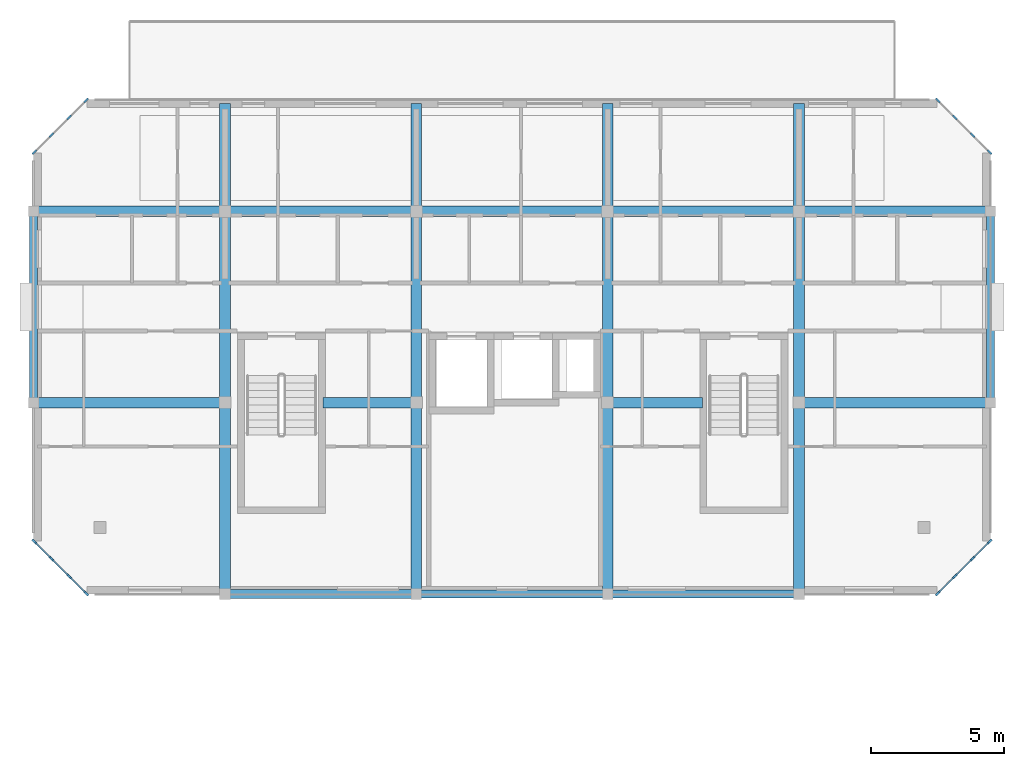
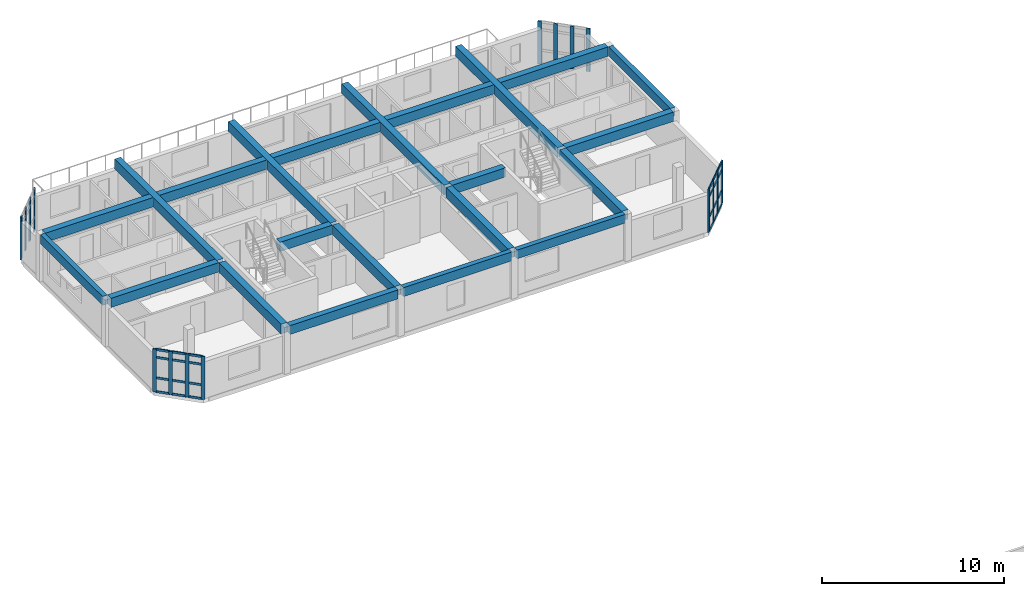
# One storey, part 4 of 16: 40 members, 22 beams, 4 elements without a shape of their own.
"""IFC4 building model written with IfcOpenShell, lengths in metres."""

from ifc_helpers import new_model, si_unit, direction, frame, origin, origin_2d, place, context, subcontext, project, spatial, rectangle, extrude, material, layer, layer_set, material_profile, profile_set, type_object, element, aggregate, save


model = new_model("IFC4")

# Units and contexts
model_context = context("Model", 3, precision=1e-05, world=origin(), true_north=direction((0.0, 1.0)))
body_context = subcontext(model_context, "Body", "Model", "MODEL_VIEW")
ifc_project = project(units=[si_unit("LENGTHUNIT", "METRE"), si_unit("AREAUNIT", "SQUARE_METRE"), si_unit("VOLUMEUNIT", "CUBIC_METRE"), si_unit("PLANEANGLEUNIT", "RADIAN"), si_unit("MASSUNIT", "GRAM", prefix="KILO")], contexts=[model_context])

# Site, building, storey
site_placement = place(None, origin())
site = spatial("IfcSite", under=ifc_project, at=site_placement, CompositionType="ELEMENT")
building_placement = place(site_placement, origin())
building = spatial("IfcBuilding", under=site, at=building_placement, Name="Ochrevale Crest", CompositionType="ELEMENT")
storey_placement = place(building_placement, frame((0.0, 0.0, 46.5)))
storey = spatial("IfcBuildingStorey", under=building, at=storey_placement, Name="L14", CompositionType="ELEMENT", Elevation=46.5)

# Beams
ifc_material_1 = material(Name="Precast concrete C50/60", Category="concrete")
ifc_material_profile_1 = material_profile(ifc_material_1, rectangle(XDim=0.39990234375, YDim=0.6201171875, at=origin_2d()), Name="PC 400x620")
ifc_profile_set_1 = profile_set([ifc_material_profile_1], Name="Precast concrete C50/60")
beam_type_1 = type_object("IfcBeamType", Name="BM-PC400x620", PredefinedType="BEAM", material=ifc_profile_set_1)
beam_1_placement = place(storey_placement, frame((129.77490234375, 79.199951171875, 2.840087890625), z_axis=(1.0, 0.0, 0.0), x_axis=(0.0, 1.0, 0.0)))
element("IfcBeam", 1, at=beam_1_placement, inside=storey, type_object=beam_type_1, Name="Block D L14 E-W beam Y=79.2", PredefinedType="BEAM", context=body_context, shape_type="SweptSolid", body=[
    extrude(rectangle(XDim=0.39990234375, YDim=0.6201171875, at=origin_2d()), origin(), (0.0, 0.0, 1.0), 6.8251953125),
])
beam_2_placement = place(storey_placement, frame((140.489990234375, 79.199951171875, 2.840087890625), z_axis=(1.0, 0.0, 0.0), x_axis=(0.0, 1.0, 0.0)))
element("IfcBeam", 2, at=beam_2_placement, inside=storey, type_object=beam_type_1, Name="Block D L14 E-W beam Y=79.2", PredefinedType="BEAM", context=body_context, shape_type="SweptSolid", body=[
    extrude(rectangle(XDim=0.39990234375, YDim=0.6201171875, at=origin_2d()), origin(), (0.0, 0.0, 1.0), 3.31005859375),
])
beam_3_placement = place(storey_placement, frame((151.39990234375, 79.199951171875, 2.840087890625), z_axis=(1.0, 0.0, 0.0), x_axis=(0.0, 1.0, 0.0)))
element("IfcBeam", 3, at=beam_3_placement, inside=storey, type_object=beam_type_1, Name="Block D L14 E-W beam Y=79.2", PredefinedType="BEAM", context=body_context, shape_type="SweptSolid", body=[
    extrude(rectangle(XDim=0.39990234375, YDim=0.6201171875, at=origin_2d()), origin(), (0.0, 0.0, 1.0), 3.360107421875),
])
beam_4_placement = place(storey_placement, frame((158.60009765625, 79.199951171875, 2.840087890625), z_axis=(1.0, 0.0, 0.0), x_axis=(0.0, 1.0, 0.0)))
element("IfcBeam", 4, at=beam_4_placement, inside=storey, type_object=beam_type_1, Name="Block D L14 E-W beam Y=79.2", PredefinedType="BEAM", context=body_context, shape_type="SweptSolid", body=[
    extrude(rectangle(XDim=0.39990234375, YDim=0.6201171875, at=origin_2d()), origin(), (0.0, 0.0, 1.0), 6.824951171875),
])
beam_5_placement = place(storey_placement, frame((129.77490234375, 86.39990234375, 2.840087890625), z_axis=(1.0, 0.0, 0.0), x_axis=(0.0, 1.0, 0.0)))
element("IfcBeam", 5, at=beam_5_placement, inside=storey, type_object=beam_type_1, Name="Block D L14 E-W beam Y=86.4", PredefinedType="BEAM", context=body_context, shape_type="SweptSolid", body=[
    extrude(rectangle(XDim=0.39990234375, YDim=0.6201171875, at=origin_2d()), origin(), (0.0, 0.0, 1.0), 6.8251953125),
])
for number, where, z_axis, x_axis, name in (
    (6, (137.0, 86.39990234375, 2.840087890625), (1.0, 0.0, 0.0), (0.0, 1.0, 0.0), "Block D L14 E-W beam Y=86.4"),
    (7, (144.199951171875, 86.39990234375, 2.840087890625), (1.0, 0.0, 0.0), (0.0, 1.0, 0.0), "Block D L14 E-W beam Y=86.4"),
    (8, (151.39990234375, 86.39990234375, 2.840087890625), (1.0, 0.0, 0.0), (0.0, 1.0, 0.0), "Block D L14 E-W beam Y=86.4"),
):
    element("IfcBeam", number, at=place(storey_placement, frame(where, z_axis=z_axis, x_axis=x_axis)), inside=storey, type_object=beam_type_1, Name=name, PredefinedType="BEAM", context=body_context, shape_type="SweptSolid", body=[
        extrude(rectangle(XDim=0.39990234375, YDim=0.6201171875, at=origin_2d()), origin(), (0.0, 0.0, 1.0), 6.800048828125),
    ])
beam_6_placement = place(storey_placement, frame((158.60009765625, 86.39990234375, 2.840087890625), z_axis=(1.0, 0.0, 0.0), x_axis=(0.0, 1.0, 0.0)))
element("IfcBeam", 9, at=beam_6_placement, inside=storey, type_object=beam_type_1, Name="Block D L14 E-W beam Y=86.4", PredefinedType="BEAM", context=body_context, shape_type="SweptSolid", body=[
    extrude(rectangle(XDim=0.39990234375, YDim=0.6201171875, at=origin_2d()), origin(), (0.0, 0.0, 1.0), 6.824951171875),
])
ifc_material_profile_2 = material_profile(ifc_material_1, rectangle(XDim=0.39990234375, YDim=0.64990234375, at=origin_2d()), Name="PC 400x650")
ifc_profile_set_2 = profile_set([ifc_material_profile_2], Name="Precast concrete C50/60")
beam_type_2 = type_object("IfcBeamType", Name="BM-PC400x650", PredefinedType="BEAM", material=ifc_profile_set_2)
beam_7_placement = place(storey_placement, frame((136.800048828125, 72.179931640625, 2.824951171875), z_axis=(0.0, 1.0, 0.0), x_axis=(-1.0, 0.0, 0.0)))
element("IfcBeam", 10, at=beam_7_placement, inside=storey, type_object=beam_type_2, Name="Block D L14 N-S beam X=136.8", PredefinedType="BEAM", context=body_context, shape_type="SweptSolid", body=[
    extrude(rectangle(XDim=0.39990234375, YDim=0.64990234375, at=origin_2d()), origin(), (0.0, 0.0, 1.0), 6.815185546875),
])
beam_8_placement = place(storey_placement, frame((136.800048828125, 79.219970703125, 2.824951171875), z_axis=(0.0, 1.0, 0.0), x_axis=(-1.0, 0.0, 0.0)))
element("IfcBeam", 11, at=beam_8_placement, inside=storey, type_object=beam_type_2, Name="Block D L14 N-S beam X=136.8", PredefinedType="BEAM", context=body_context, shape_type="SweptSolid", body=[
    extrude(rectangle(XDim=0.39990234375, YDim=0.64990234375, at=origin_2d()), origin(), (0.0, 0.0, 1.0), 11.22998046875),
])
beam_9_placement = place(storey_placement, frame((144.0, 72.179931640625, 2.824951171875), z_axis=(0.0, 1.0, 0.0), x_axis=(-1.0, 0.0, 0.0)))
element("IfcBeam", 12, at=beam_9_placement, inside=storey, type_object=beam_type_2, Name="Block D L14 N-S beam X=144.0", PredefinedType="BEAM", context=body_context, shape_type="SweptSolid", body=[
    extrude(rectangle(XDim=0.39990234375, YDim=0.64990234375, at=origin_2d()), origin(), (0.0, 0.0, 1.0), 6.815185546875),
])
beam_10_placement = place(storey_placement, frame((144.0, 79.219970703125, 2.824951171875), z_axis=(0.0, 1.0, 0.0), x_axis=(-1.0, 0.0, 0.0)))
element("IfcBeam", 13, at=beam_10_placement, inside=storey, type_object=beam_type_2, Name="Block D L14 N-S beam X=144.0", PredefinedType="BEAM", context=body_context, shape_type="SweptSolid", body=[
    extrude(rectangle(XDim=0.39990234375, YDim=0.64990234375, at=origin_2d()), origin(), (0.0, 0.0, 1.0), 11.22998046875),
])
beam_11_placement = place(storey_placement, frame((151.199951171875, 72.179931640625, 2.824951171875), z_axis=(0.0, 1.0, 0.0), x_axis=(-1.0, 0.0, 0.0)))
element("IfcBeam", 14, at=beam_11_placement, inside=storey, type_object=beam_type_2, Name="Block D L14 N-S beam X=151.2", PredefinedType="BEAM", context=body_context, shape_type="SweptSolid", body=[
    extrude(rectangle(XDim=0.39990234375, YDim=0.64990234375, at=origin_2d()), origin(), (0.0, 0.0, 1.0), 6.815185546875),
])
beam_12_placement = place(storey_placement, frame((151.199951171875, 79.219970703125, 2.824951171875), z_axis=(0.0, 1.0, 0.0), x_axis=(-1.0, 0.0, 0.0)))
element("IfcBeam", 15, at=beam_12_placement, inside=storey, type_object=beam_type_2, Name="Block D L14 N-S beam X=151.2", PredefinedType="BEAM", context=body_context, shape_type="SweptSolid", body=[
    extrude(rectangle(XDim=0.39990234375, YDim=0.64990234375, at=origin_2d()), origin(), (0.0, 0.0, 1.0), 11.22998046875),
])
beam_13_placement = place(storey_placement, frame((158.39990234375, 72.179931640625, 2.824951171875), z_axis=(0.0, 1.0, 0.0), x_axis=(-1.0, 0.0, 0.0)))
element("IfcBeam", 16, at=beam_13_placement, inside=storey, type_object=beam_type_2, Name="Block D L14 N-S beam X=158.4", PredefinedType="BEAM", context=body_context, shape_type="SweptSolid", body=[
    extrude(rectangle(XDim=0.39990234375, YDim=0.64990234375, at=origin_2d()), origin(), (0.0, 0.0, 1.0), 6.815185546875),
])
beam_14_placement = place(storey_placement, frame((158.39990234375, 79.219970703125, 2.824951171875), z_axis=(0.0, 1.0, 0.0), x_axis=(-1.0, 0.0, 0.0)))
element("IfcBeam", 17, at=beam_14_placement, inside=storey, type_object=beam_type_2, Name="Block D L14 N-S beam X=158.4", PredefinedType="BEAM", context=body_context, shape_type="SweptSolid", body=[
    extrude(rectangle(XDim=0.39990234375, YDim=0.64990234375, at=origin_2d()), origin(), (0.0, 0.0, 1.0), 11.22998046875),
])
ifc_material_2 = material(Name="Precast concrete C40/50", Category="concrete")
ifc_material_profile_3 = material_profile(ifc_material_2, rectangle(XDim=0.300048828125, YDim=0.580078125, at=origin_2d()), Name="PC 300x580")
ifc_profile_set_3 = profile_set([ifc_material_profile_3], Name="Precast concrete C40/50")
beam_type_3 = type_object("IfcBeamType", Name="BM-SP300x580", PredefinedType="SPANDREL", material=ifc_profile_set_3)
beam_15_placement = place(storey_placement, frame((151.375, 72.0, 2.860107421875), z_axis=(1.0, 0.0, 0.0), x_axis=(0.0, 1.0, 0.0)))
element("IfcBeam", 18, at=beam_15_placement, inside=storey, type_object=beam_type_3, Name="Block D L14 E-W beam Y=72.0", PredefinedType="SPANDREL", context=body_context, shape_type="SweptSolid", body=[
    extrude(rectangle(XDim=0.300048828125, YDim=0.580078125, at=origin_2d()), origin(), (0.0, 0.0, 1.0), 6.85009765625),
])
ifc_material_profile_4 = material_profile(ifc_material_2, rectangle(XDim=0.300048828125, YDim=0.60009765625, at=origin_2d()), Name="PC 300x600")
ifc_profile_set_4 = profile_set([ifc_material_profile_4], Name="Precast concrete C40/50")
beam_type_4 = type_object("IfcBeamType", Name="BM-SP300x600", PredefinedType="SPANDREL", material=ifc_profile_set_4)
beam_16_placement = place(storey_placement, frame((144.175048828125, 72.0, 2.85009765625), z_axis=(1.0, 0.0, 0.0), x_axis=(0.0, 1.0, 0.0)))
element("IfcBeam", 19, at=beam_16_placement, inside=storey, type_object=beam_type_4, Name="Block D L14 E-W beam Y=72.0", PredefinedType="SPANDREL", context=body_context, shape_type="SweptSolid", body=[
    extrude(rectangle(XDim=0.300048828125, YDim=0.60009765625, at=origin_2d()), origin(), (0.0, 0.0, 1.0), 6.849853515625),
])
for number, where, z_axis, x_axis, name in (
    (20, (129.60009765625, 79.3798828125, 2.85009765625), (0.0, 1.0, 0.0), (-1.0, 0.0, 0.0), "Block D L14 N-S beam X=129.6"),
    (21, (165.60009765625, 79.3798828125, 2.85009765625), (0.0, 1.0, 0.0), (-1.0, 0.0, 0.0), "Block D L14 N-S beam X=165.6"),
):
    element("IfcBeam", number, at=place(storey_placement, frame(where, z_axis=z_axis, x_axis=x_axis)), inside=storey, type_object=beam_type_4, Name=name, PredefinedType="SPANDREL", context=body_context, shape_type="SweptSolid", body=[
        extrude(rectangle(XDim=0.300048828125, YDim=0.60009765625, at=origin_2d()), origin(), (0.0, 0.0, 1.0), 6.840087890625),
    ])
ifc_material_profile_5 = material_profile(ifc_material_2, rectangle(XDim=0.35009765625, YDim=0.60009765625, at=origin_2d()), Name="PC 350x600")
ifc_profile_set_5 = profile_set([ifc_material_profile_5], Name="Precast concrete C40/50")
beam_type_5 = type_object("IfcBeamType", Name="BM-SP350x600", PredefinedType="SPANDREL", material=ifc_profile_set_5)
beam_17_placement = place(storey_placement, frame((136.97509765625, 72.0, 2.85009765625), z_axis=(1.0, 0.0, 0.0), x_axis=(0.0, 1.0, 0.0)))
element("IfcBeam", 22, at=beam_17_placement, inside=storey, type_object=beam_type_5, Name="Block D L14 E-W beam Y=72.0", PredefinedType="SPANDREL", context=body_context, shape_type="SweptSolid", body=[
    extrude(rectangle(XDim=0.35009765625, YDim=0.60009765625, at=origin_2d()), origin(), (0.0, 0.0, 1.0), 6.849853515625),
])

# Curtain wall, members
ifc_material_3 = material(Name="Anodised aluminium 6063-T5", Category="aluminium")
ifc_layer_1 = layer(ifc_material_3, 0.14990234375)
ifc_layer_set_1 = layer_set([ifc_layer_1], Name="Anodised aluminium 6063-T5")
curtain_wall_type_1 = type_object("IfcCurtainWallType", Name="CW-WG-280x285", PredefinedType="NOTDEFINED", material=ifc_layer_set_1)
curtain_wall_1_placement = place(storey_placement, origin())
curtain_wall_1 = element("IfcCurtainWall", 23, at=curtain_wall_1_placement, inside=storey, type_object=curtain_wall_type_1, Name="Block D L14 chamfered corner wintergarden curtain wall 2", PredefinedType="NOTDEFINED")
ifc_material_profile_6 = material_profile(ifc_material_3, rectangle(XDim=0.074951171875, YDim=0.219970703125, at=origin_2d()), Name="ALU 75x220")
ifc_profile_set_6 = profile_set([ifc_material_profile_6], Name="Anodised aluminium 6063-T5")
member_type_1 = type_object("IfcMemberType", Name="CW-MUL-75x220", PredefinedType="MULLION", material=ifc_profile_set_6)
member_1_placement = place(storey_placement, frame((163.62646484375, 72.026611328125, 0.0), z_axis=(0.0, 0.0, 1.0), x_axis=(-0.707106781187, 0.707106781187, 0.0)))
member_1 = element("IfcMember", 24, at=member_1_placement, type_object=member_type_1, Name="CW16 mullion 1", PredefinedType="MULLION", context=body_context, shape_type="SweptSolid", body=[
    extrude(rectangle(XDim=0.074951171875, YDim=0.219970703125, at=origin_2d()), origin(), (0.0, 0.0, 1.0), 2.875),
])
member_2_placement = place(storey_placement, frame((164.2666015625, 72.666748046875, 0.0), z_axis=(0.0, 0.0, 1.0), x_axis=(-0.707106781187, 0.707106781187, 0.0)))
member_2 = element("IfcMember", 25, at=member_2_placement, type_object=member_type_1, Name="CW16 mullion 2", PredefinedType="MULLION", context=body_context, shape_type="SweptSolid", body=[
    extrude(rectangle(XDim=0.074951171875, YDim=0.219970703125, at=origin_2d()), origin(), (0.0, 0.0, 1.0), 2.875),
])
member_3_placement = place(storey_placement, frame((164.933349609375, 73.333251953125, 0.0), z_axis=(0.0, 0.0, 1.0), x_axis=(-0.707106781187, 0.707106781187, 0.0)))
member_3 = element("IfcMember", 26, at=member_3_placement, type_object=member_type_1, Name="CW16 mullion 3", PredefinedType="MULLION", context=body_context, shape_type="SweptSolid", body=[
    extrude(rectangle(XDim=0.074951171875, YDim=0.219970703125, at=origin_2d()), origin(), (0.0, 0.0, 1.0), 2.875),
])
member_4_placement = place(storey_placement, frame((165.573486328125, 73.973388671875, 0.0), z_axis=(0.0, 0.0, 1.0), x_axis=(-0.707106781187, 0.707106781187, 0.0)))
member_4 = element("IfcMember", 27, at=member_4_placement, type_object=member_type_1, Name="CW16 mullion 4", PredefinedType="MULLION", context=body_context, shape_type="SweptSolid", body=[
    extrude(rectangle(XDim=0.074951171875, YDim=0.219970703125, at=origin_2d()), origin(), (0.0, 0.0, 1.0), 2.875),
])

ifc_layer_2 = layer(ifc_material_3, 0.14990234375)
ifc_layer_set_2 = layer_set([ifc_layer_2], Name="Anodised aluminium 6063-T5")
curtain_wall_type_2 = type_object("IfcCurtainWallType", Name="CW-WG-360x285", PredefinedType="NOTDEFINED", material=ifc_layer_set_2)
curtain_wall_2_placement = place(storey_placement, origin())
curtain_wall_2 = element("IfcCurtainWall", 28, at=curtain_wall_2_placement, inside=storey, type_object=curtain_wall_type_2, Name="Block D L14 chamfered corner wintergarden curtain wall 4", PredefinedType="NOTDEFINED")
member_5_placement = place(storey_placement, frame((165.573486328125, 88.62646484375, 0.0), z_axis=(0.0, 0.0, 1.0), x_axis=(-0.707106781187, -0.707106781187, 0.0)))
member_5 = element("IfcMember", 29, at=member_5_placement, type_object=member_type_1, Name="CW18 mullion 1", PredefinedType="MULLION", context=body_context, shape_type="SweptSolid", body=[
    extrude(rectangle(XDim=0.074951171875, YDim=0.219970703125, at=origin_2d()), origin(), (0.0, 0.0, 1.0), 2.875),
])
member_6_placement = place(storey_placement, frame((164.933349609375, 89.2666015625, 0.0), z_axis=(0.0, 0.0, 1.0), x_axis=(-0.707106781187, -0.707106781187, 0.0)))
member_6 = element("IfcMember", 30, at=member_6_placement, type_object=member_type_1, Name="CW18 mullion 2", PredefinedType="MULLION", context=body_context, shape_type="SweptSolid", body=[
    extrude(rectangle(XDim=0.074951171875, YDim=0.219970703125, at=origin_2d()), origin(), (0.0, 0.0, 1.0), 2.875),
])
member_7_placement = place(storey_placement, frame((164.2666015625, 89.933349609375, 0.0), z_axis=(0.0, 0.0, 1.0), x_axis=(-0.707106781187, -0.707106781187, 0.0)))
member_7 = element("IfcMember", 31, at=member_7_placement, type_object=member_type_1, Name="CW18 mullion 3", PredefinedType="MULLION", context=body_context, shape_type="SweptSolid", body=[
    extrude(rectangle(XDim=0.074951171875, YDim=0.219970703125, at=origin_2d()), origin(), (0.0, 0.0, 1.0), 2.875),
])
member_8_placement = place(storey_placement, frame((163.62646484375, 90.573486328125, 0.0), z_axis=(0.0, 0.0, 1.0), x_axis=(-0.707106781187, -0.707106781187, 0.0)))
member_8 = element("IfcMember", 32, at=member_8_placement, type_object=member_type_1, Name="CW18 mullion 4", PredefinedType="MULLION", context=body_context, shape_type="SweptSolid", body=[
    extrude(rectangle(XDim=0.074951171875, YDim=0.219970703125, at=origin_2d()), origin(), (0.0, 0.0, 1.0), 2.875),
])
aggregate(curtain_wall_2, [member_5, member_6, member_7, member_8])

ifc_layer_3 = layer(ifc_material_3, 0.14990234375)
ifc_layer_set_3 = layer_set([ifc_layer_3], Name="Anodised aluminium 6063-T5")
curtain_wall_type_3 = type_object("IfcCurtainWallType", Name="CW-WG-240x285", PredefinedType="NOTDEFINED", material=ifc_layer_set_3)
curtain_wall_3_placement = place(storey_placement, origin())
curtain_wall_3 = element("IfcCurtainWall", 33, at=curtain_wall_3_placement, inside=storey, type_object=curtain_wall_type_3, Name="Block D L14 chamfered corner wintergarden curtain wall 6", PredefinedType="NOTDEFINED")
member_9_placement = place(storey_placement, frame((131.573486328125, 90.573486328125, 0.0), z_axis=(0.0, 0.0, 1.0), x_axis=(0.707106781187, -0.707106781187, 0.0)))
member_9 = element("IfcMember", 34, at=member_9_placement, type_object=member_type_1, Name="CW15 mullion 1", PredefinedType="MULLION", context=body_context, shape_type="SweptSolid", body=[
    extrude(rectangle(XDim=0.074951171875, YDim=0.219970703125, at=origin_2d()), origin(), (0.0, 0.0, 1.0), 2.875),
])
member_10_placement = place(storey_placement, frame((130.933349609375, 89.933349609375, 0.0), z_axis=(0.0, 0.0, 1.0), x_axis=(0.707106781187, -0.707106781187, 0.0)))
member_10 = element("IfcMember", 35, at=member_10_placement, type_object=member_type_1, Name="CW15 mullion 2", PredefinedType="MULLION", context=body_context, shape_type="SweptSolid", body=[
    extrude(rectangle(XDim=0.074951171875, YDim=0.219970703125, at=origin_2d()), origin(), (0.0, 0.0, 1.0), 2.875),
])
member_11_placement = place(storey_placement, frame((130.2666015625, 89.2666015625, 0.0), z_axis=(0.0, 0.0, 1.0), x_axis=(0.707106781187, -0.707106781187, 0.0)))
member_11 = element("IfcMember", 36, at=member_11_placement, type_object=member_type_1, Name="CW15 mullion 3", PredefinedType="MULLION", context=body_context, shape_type="SweptSolid", body=[
    extrude(rectangle(XDim=0.074951171875, YDim=0.219970703125, at=origin_2d()), origin(), (0.0, 0.0, 1.0), 2.875),
])
member_12_placement = place(storey_placement, frame((129.62646484375, 88.62646484375, 0.0), z_axis=(0.0, 0.0, 1.0), x_axis=(0.707106781187, -0.707106781187, 0.0)))
member_12 = element("IfcMember", 37, at=member_12_placement, type_object=member_type_1, Name="CW15 mullion 4", PredefinedType="MULLION", context=body_context, shape_type="SweptSolid", body=[
    extrude(rectangle(XDim=0.074951171875, YDim=0.219970703125, at=origin_2d()), origin(), (0.0, 0.0, 1.0), 2.875),
])
aggregate(curtain_wall_3, [member_9, member_10, member_11, member_12])

ifc_layer_4 = layer(ifc_material_3, 0.14990234375)
ifc_layer_set_4 = layer_set([ifc_layer_4], Name="Anodised aluminium 6063-T5")
curtain_wall_type_4 = type_object("IfcCurtainWallType", Name="CW-WG-320x285", PredefinedType="NOTDEFINED", material=ifc_layer_set_4)
curtain_wall_4_placement = place(storey_placement, origin())
curtain_wall_4 = element("IfcCurtainWall", 38, at=curtain_wall_4_placement, inside=storey, type_object=curtain_wall_type_4, Name="Block D L14 chamfered corner wintergarden curtain wall 8", PredefinedType="NOTDEFINED")
member_13_placement = place(storey_placement, frame((129.62646484375, 73.973388671875, 0.0), z_axis=(0.0, 0.0, 1.0), x_axis=(0.707106781187, 0.707106781187, 0.0)))
member_13 = element("IfcMember", 39, at=member_13_placement, type_object=member_type_1, Name="CW17 mullion 1", PredefinedType="MULLION", context=body_context, shape_type="SweptSolid", body=[
    extrude(rectangle(XDim=0.074951171875, YDim=0.219970703125, at=origin_2d()), origin(), (0.0, 0.0, 1.0), 2.875),
])
member_14_placement = place(storey_placement, frame((130.2666015625, 73.333251953125, 0.0), z_axis=(0.0, 0.0, 1.0), x_axis=(0.707106781187, 0.707106781187, 0.0)))
member_14 = element("IfcMember", 40, at=member_14_placement, type_object=member_type_1, Name="CW17 mullion 2", PredefinedType="MULLION", context=body_context, shape_type="SweptSolid", body=[
    extrude(rectangle(XDim=0.074951171875, YDim=0.219970703125, at=origin_2d()), origin(), (0.0, 0.0, 1.0), 2.875),
])
member_15_placement = place(storey_placement, frame((130.933349609375, 72.666748046875, 0.0), z_axis=(0.0, 0.0, 1.0), x_axis=(0.707106781187, 0.707106781187, 0.0)))
member_15 = element("IfcMember", 41, at=member_15_placement, type_object=member_type_1, Name="CW17 mullion 3", PredefinedType="MULLION", context=body_context, shape_type="SweptSolid", body=[
    extrude(rectangle(XDim=0.074951171875, YDim=0.219970703125, at=origin_2d()), origin(), (0.0, 0.0, 1.0), 2.875),
])
member_16_placement = place(storey_placement, frame((131.573486328125, 72.026611328125, 0.0), z_axis=(0.0, 0.0, 1.0), x_axis=(0.707106781187, 0.707106781187, 0.0)))
member_16 = element("IfcMember", 42, at=member_16_placement, type_object=member_type_1, Name="CW17 mullion 4", PredefinedType="MULLION", context=body_context, shape_type="SweptSolid", body=[
    extrude(rectangle(XDim=0.074951171875, YDim=0.219970703125, at=origin_2d()), origin(), (0.0, 0.0, 1.0), 2.875),
])

# Member
ifc_material_profile_7 = material_profile(ifc_material_3, rectangle(XDim=0.06005859375, YDim=0.14990234375, at=origin_2d()), Name="ALU 60x150")
ifc_profile_set_7 = profile_set([ifc_material_profile_7], Name="Anodised aluminium 6063-T5")
member_type_2 = type_object("IfcMemberType", Name="CW-TRN-60x150", PredefinedType="USERDEFINED", material=ifc_profile_set_7)
member_17_placement = place(storey_placement, frame((163.653076171875, 72.052978515625, 0.030029296875), z_axis=(0.707106781187, 0.707106781187, 0.0), x_axis=(-0.707106781187, 0.707106781187, 0.0)))
member_17 = element("IfcMember", 43, at=member_17_placement, type_object=member_type_2, Name="CW16 transom 1.1", ObjectType="TRANSOM", PredefinedType="USERDEFINED", context=body_context, shape_type="SweptSolid", body=[
    extrude(rectangle(XDim=0.06005859375, YDim=0.14990234375, at=origin_2d()), origin(), (0.0, 0.0, 1.0), 0.830322265625),
])

member_18_placement = place(storey_placement, frame((163.653076171875, 72.052978515625, 0.949951171875), z_axis=(0.707106781187, 0.707106781187, 0.0), x_axis=(-0.707106781187, 0.707106781187, 0.0)))
member_18 = element("IfcMember", 44, at=member_18_placement, type_object=member_type_2, Name="CW16 transom 1.2", ObjectType="TRANSOM", PredefinedType="USERDEFINED", context=body_context, shape_type="SweptSolid", body=[
    extrude(rectangle(XDim=0.06005859375, YDim=0.14990234375, at=origin_2d()), origin(), (0.0, 0.0, 1.0), 0.830322265625),
])

member_19_placement = place(storey_placement, frame((163.653076171875, 72.052978515625, 2.324951171875), z_axis=(0.707106781187, 0.707106781187, 0.0), x_axis=(-0.707106781187, 0.707106781187, 0.0)))
member_19 = element("IfcMember", 45, at=member_19_placement, type_object=member_type_2, Name="CW16 transom 1.3", ObjectType="TRANSOM", PredefinedType="USERDEFINED", context=body_context, shape_type="SweptSolid", body=[
    extrude(rectangle(XDim=0.06005859375, YDim=0.14990234375, at=origin_2d()), origin(), (0.0, 0.0, 1.0), 0.830322265625),
])

member_20_placement = place(storey_placement, frame((163.653076171875, 72.052978515625, 2.844970703125), z_axis=(0.707106781187, 0.707106781187, 0.0), x_axis=(-0.707106781187, 0.707106781187, 0.0)))
member_20 = element("IfcMember", 46, at=member_20_placement, type_object=member_type_2, Name="CW16 transom 1.4", ObjectType="TRANSOM", PredefinedType="USERDEFINED", context=body_context, shape_type="SweptSolid", body=[
    extrude(rectangle(XDim=0.06005859375, YDim=0.14990234375, at=origin_2d()), origin(), (0.0, 0.0, 1.0), 0.830322265625),
])

member_21_placement = place(storey_placement, frame((164.293212890625, 72.693115234375, 0.030029296875), z_axis=(0.706966105416, 0.707247428976, 0.0), x_axis=(-0.707247428976, 0.706966105416, 0.0)))
member_21 = element("IfcMember", 47, at=member_21_placement, type_object=member_type_2, Name="CW16 transom 2.1", ObjectType="TRANSOM", PredefinedType="USERDEFINED", context=body_context, shape_type="SweptSolid", body=[
    extrude(rectangle(XDim=0.06005859375, YDim=0.14990234375, at=origin_2d()), origin(), (0.0, 0.0, 1.0), 0.867919921875),
])

member_22_placement = place(storey_placement, frame((164.293212890625, 72.693115234375, 0.949951171875), z_axis=(0.706966105416, 0.707247428976, 0.0), x_axis=(-0.707247428976, 0.706966105416, 0.0)))
member_22 = element("IfcMember", 48, at=member_22_placement, type_object=member_type_2, Name="CW16 transom 2.2", ObjectType="TRANSOM", PredefinedType="USERDEFINED", context=body_context, shape_type="SweptSolid", body=[
    extrude(rectangle(XDim=0.06005859375, YDim=0.14990234375, at=origin_2d()), origin(), (0.0, 0.0, 1.0), 0.867919921875),
])

member_23_placement = place(storey_placement, frame((164.293212890625, 72.693115234375, 2.324951171875), z_axis=(0.706966105416, 0.707247428976, 0.0), x_axis=(-0.707247428976, 0.706966105416, 0.0)))
member_23 = element("IfcMember", 49, at=member_23_placement, type_object=member_type_2, Name="CW16 transom 2.3", ObjectType="TRANSOM", PredefinedType="USERDEFINED", context=body_context, shape_type="SweptSolid", body=[
    extrude(rectangle(XDim=0.06005859375, YDim=0.14990234375, at=origin_2d()), origin(), (0.0, 0.0, 1.0), 0.867919921875),
])

member_24_placement = place(storey_placement, frame((164.293212890625, 72.693115234375, 2.844970703125), z_axis=(0.706966105416, 0.707247428976, 0.0), x_axis=(-0.707247428976, 0.706966105416, 0.0)))
member_24 = element("IfcMember", 50, at=member_24_placement, type_object=member_type_2, Name="CW16 transom 2.4", ObjectType="TRANSOM", PredefinedType="USERDEFINED", context=body_context, shape_type="SweptSolid", body=[
    extrude(rectangle(XDim=0.06005859375, YDim=0.14990234375, at=origin_2d()), origin(), (0.0, 0.0, 1.0), 0.867919921875),
])

member_25_placement = place(storey_placement, frame((164.9599609375, 73.35986328125, 0.030029296875), z_axis=(0.706959727686, 0.707253804112, 0.0), x_axis=(-0.707253804112, 0.706959727686, 0.0)))
member_25 = element("IfcMember", 51, at=member_25_placement, type_object=member_type_2, Name="CW16 transom 3.1", ObjectType="TRANSOM", PredefinedType="USERDEFINED", context=body_context, shape_type="SweptSolid", body=[
    extrude(rectangle(XDim=0.06005859375, YDim=0.14990234375, at=origin_2d()), origin(), (0.0, 0.0, 1.0), 0.830078125),
])

member_26_placement = place(storey_placement, frame((164.9599609375, 73.35986328125, 0.949951171875), z_axis=(0.706959727686, 0.707253804112, 0.0), x_axis=(-0.707253804112, 0.706959727686, 0.0)))
member_26 = element("IfcMember", 52, at=member_26_placement, type_object=member_type_2, Name="CW16 transom 3.2", ObjectType="TRANSOM", PredefinedType="USERDEFINED", context=body_context, shape_type="SweptSolid", body=[
    extrude(rectangle(XDim=0.06005859375, YDim=0.14990234375, at=origin_2d()), origin(), (0.0, 0.0, 1.0), 0.830078125),
])

member_27_placement = place(storey_placement, frame((164.9599609375, 73.35986328125, 2.324951171875), z_axis=(0.706959727686, 0.707253804112, 0.0), x_axis=(-0.707253804112, 0.706959727686, 0.0)))
member_27 = element("IfcMember", 53, at=member_27_placement, type_object=member_type_2, Name="CW16 transom 3.3", ObjectType="TRANSOM", PredefinedType="USERDEFINED", context=body_context, shape_type="SweptSolid", body=[
    extrude(rectangle(XDim=0.06005859375, YDim=0.14990234375, at=origin_2d()), origin(), (0.0, 0.0, 1.0), 0.830078125),
])

member_28_placement = place(storey_placement, frame((164.9599609375, 73.35986328125, 2.844970703125), z_axis=(0.706959727686, 0.707253804112, 0.0), x_axis=(-0.707253804112, 0.706959727686, 0.0)))
member_28 = element("IfcMember", 54, at=member_28_placement, type_object=member_type_2, Name="CW16 transom 3.4", ObjectType="TRANSOM", PredefinedType="USERDEFINED", context=body_context, shape_type="SweptSolid", body=[
    extrude(rectangle(XDim=0.06005859375, YDim=0.14990234375, at=origin_2d()), origin(), (0.0, 0.0, 1.0), 0.830078125),
])

aggregate(curtain_wall_1, [member_1, member_2, member_3, member_4, member_17, member_18, member_19, member_20, member_21, member_22, member_23, member_24, member_25, member_26, member_27, member_28])

member_29_placement = place(storey_placement, frame((129.653076171875, 73.947021484375, 0.030029296875), z_axis=(0.707106781187, -0.707106781187, 0.0), x_axis=(0.707106781187, 0.707106781187, 0.0)))
member_29 = element("IfcMember", 55, at=member_29_placement, type_object=member_type_2, Name="CW17 transom 1.1", ObjectType="TRANSOM", PredefinedType="USERDEFINED", context=body_context, shape_type="SweptSolid", body=[
    extrude(rectangle(XDim=0.06005859375, YDim=0.14990234375, at=origin_2d()), origin(), (0.0, 0.0, 1.0), 0.830322265625),
])

member_30_placement = place(storey_placement, frame((129.653076171875, 73.947021484375, 0.949951171875), z_axis=(0.707106781187, -0.707106781187, 0.0), x_axis=(0.707106781187, 0.707106781187, 0.0)))
member_30 = element("IfcMember", 56, at=member_30_placement, type_object=member_type_2, Name="CW17 transom 1.2", ObjectType="TRANSOM", PredefinedType="USERDEFINED", context=body_context, shape_type="SweptSolid", body=[
    extrude(rectangle(XDim=0.06005859375, YDim=0.14990234375, at=origin_2d()), origin(), (0.0, 0.0, 1.0), 0.830322265625),
])

member_31_placement = place(storey_placement, frame((129.653076171875, 73.947021484375, 2.324951171875), z_axis=(0.707106781187, -0.707106781187, 0.0), x_axis=(0.707106781187, 0.707106781187, 0.0)))
member_31 = element("IfcMember", 57, at=member_31_placement, type_object=member_type_2, Name="CW17 transom 1.3", ObjectType="TRANSOM", PredefinedType="USERDEFINED", context=body_context, shape_type="SweptSolid", body=[
    extrude(rectangle(XDim=0.06005859375, YDim=0.14990234375, at=origin_2d()), origin(), (0.0, 0.0, 1.0), 0.830322265625),
])

member_32_placement = place(storey_placement, frame((129.653076171875, 73.947021484375, 2.844970703125), z_axis=(0.707106781187, -0.707106781187, 0.0), x_axis=(0.707106781187, 0.707106781187, 0.0)))
member_32 = element("IfcMember", 58, at=member_32_placement, type_object=member_type_2, Name="CW17 transom 1.4", ObjectType="TRANSOM", PredefinedType="USERDEFINED", context=body_context, shape_type="SweptSolid", body=[
    extrude(rectangle(XDim=0.06005859375, YDim=0.14990234375, at=origin_2d()), origin(), (0.0, 0.0, 1.0), 0.830322265625),
])

member_33_placement = place(storey_placement, frame((130.293212890625, 73.306884765625, 0.030029296875), z_axis=(0.706966105416, -0.707247428976, 0.0), x_axis=(0.707247428976, 0.706966105416, 0.0)))
member_33 = element("IfcMember", 59, at=member_33_placement, type_object=member_type_2, Name="CW17 transom 2.1", ObjectType="TRANSOM", PredefinedType="USERDEFINED", context=body_context, shape_type="SweptSolid", body=[
    extrude(rectangle(XDim=0.06005859375, YDim=0.14990234375, at=origin_2d()), origin(), (0.0, 0.0, 1.0), 0.867919921875),
])

member_34_placement = place(storey_placement, frame((130.293212890625, 73.306884765625, 0.949951171875), z_axis=(0.706966105416, -0.707247428976, 0.0), x_axis=(0.707247428976, 0.706966105416, 0.0)))
member_34 = element("IfcMember", 60, at=member_34_placement, type_object=member_type_2, Name="CW17 transom 2.2", ObjectType="TRANSOM", PredefinedType="USERDEFINED", context=body_context, shape_type="SweptSolid", body=[
    extrude(rectangle(XDim=0.06005859375, YDim=0.14990234375, at=origin_2d()), origin(), (0.0, 0.0, 1.0), 0.867919921875),
])

member_35_placement = place(storey_placement, frame((130.293212890625, 73.306884765625, 2.324951171875), z_axis=(0.706966105416, -0.707247428976, 0.0), x_axis=(0.707247428976, 0.706966105416, 0.0)))
member_35 = element("IfcMember", 61, at=member_35_placement, type_object=member_type_2, Name="CW17 transom 2.3", ObjectType="TRANSOM", PredefinedType="USERDEFINED", context=body_context, shape_type="SweptSolid", body=[
    extrude(rectangle(XDim=0.06005859375, YDim=0.14990234375, at=origin_2d()), origin(), (0.0, 0.0, 1.0), 0.867919921875),
])

member_36_placement = place(storey_placement, frame((130.293212890625, 73.306884765625, 2.844970703125), z_axis=(0.706966105416, -0.707247428976, 0.0), x_axis=(0.707247428976, 0.706966105416, 0.0)))
member_36 = element("IfcMember", 62, at=member_36_placement, type_object=member_type_2, Name="CW17 transom 2.4", ObjectType="TRANSOM", PredefinedType="USERDEFINED", context=body_context, shape_type="SweptSolid", body=[
    extrude(rectangle(XDim=0.06005859375, YDim=0.14990234375, at=origin_2d()), origin(), (0.0, 0.0, 1.0), 0.867919921875),
])

member_37_placement = place(storey_placement, frame((130.9599609375, 72.64013671875, 0.030029296875), z_axis=(0.706959727686, -0.707253804112, 0.0), x_axis=(0.707253804112, 0.706959727686, 0.0)))
member_37 = element("IfcMember", 63, at=member_37_placement, type_object=member_type_2, Name="CW17 transom 3.1", ObjectType="TRANSOM", PredefinedType="USERDEFINED", context=body_context, shape_type="SweptSolid", body=[
    extrude(rectangle(XDim=0.06005859375, YDim=0.14990234375, at=origin_2d()), origin(), (0.0, 0.0, 1.0), 0.830078125),
])

member_38_placement = place(storey_placement, frame((130.9599609375, 72.64013671875, 0.949951171875), z_axis=(0.706959727686, -0.707253804112, 0.0), x_axis=(0.707253804112, 0.706959727686, 0.0)))
member_38 = element("IfcMember", 64, at=member_38_placement, type_object=member_type_2, Name="CW17 transom 3.2", ObjectType="TRANSOM", PredefinedType="USERDEFINED", context=body_context, shape_type="SweptSolid", body=[
    extrude(rectangle(XDim=0.06005859375, YDim=0.14990234375, at=origin_2d()), origin(), (0.0, 0.0, 1.0), 0.830078125),
])

member_39_placement = place(storey_placement, frame((130.9599609375, 72.64013671875, 2.324951171875), z_axis=(0.706959727686, -0.707253804112, 0.0), x_axis=(0.707253804112, 0.706959727686, 0.0)))
member_39 = element("IfcMember", 65, at=member_39_placement, type_object=member_type_2, Name="CW17 transom 3.3", ObjectType="TRANSOM", PredefinedType="USERDEFINED", context=body_context, shape_type="SweptSolid", body=[
    extrude(rectangle(XDim=0.06005859375, YDim=0.14990234375, at=origin_2d()), origin(), (0.0, 0.0, 1.0), 0.830078125),
])

member_40_placement = place(storey_placement, frame((130.9599609375, 72.64013671875, 2.844970703125), z_axis=(0.706959727686, -0.707253804112, 0.0), x_axis=(0.707253804112, 0.706959727686, 0.0)))
member_40 = element("IfcMember", 66, at=member_40_placement, type_object=member_type_2, Name="CW17 transom 3.4", ObjectType="TRANSOM", PredefinedType="USERDEFINED", context=body_context, shape_type="SweptSolid", body=[
    extrude(rectangle(XDim=0.06005859375, YDim=0.14990234375, at=origin_2d()), origin(), (0.0, 0.0, 1.0), 0.830078125),
])

aggregate(curtain_wall_4, [member_13, member_14, member_15, member_16, member_29, member_30, member_31, member_32, member_33, member_34, member_35, member_36, member_37, member_38, member_39, member_40])

save(model, "model.ifc")
